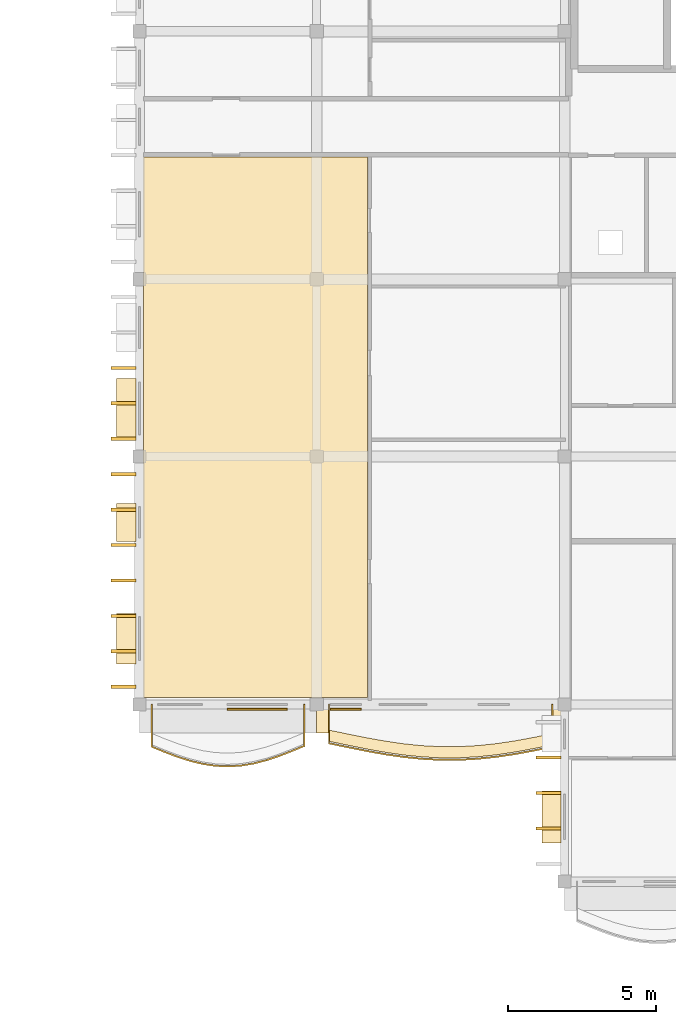
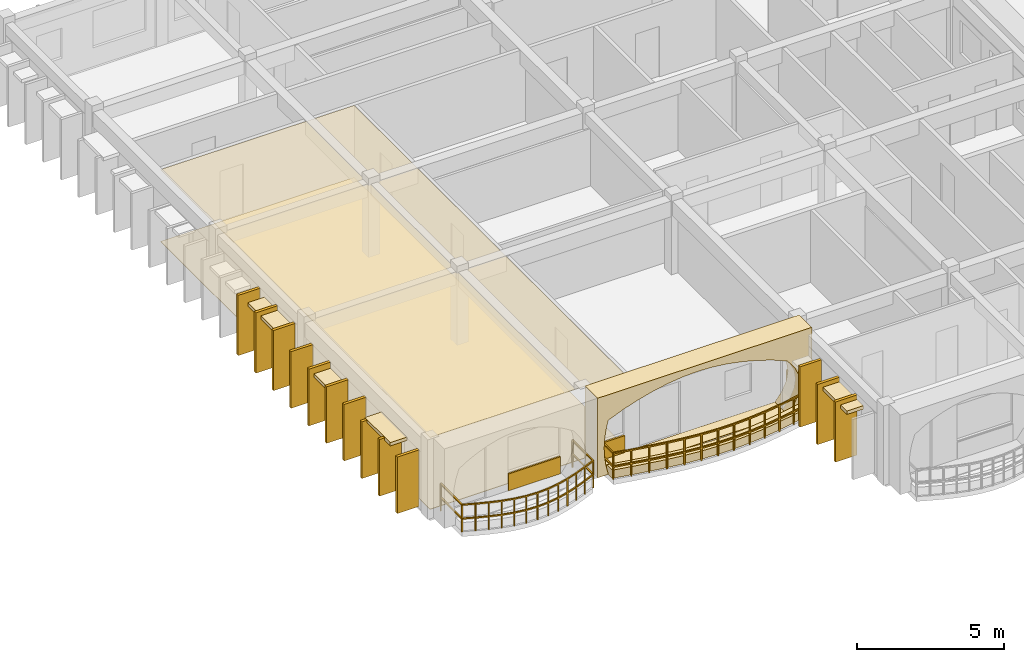
# One storey, part 58 of 66: 23 coverings, 2 railings.
"""IFC4 building model written with IfcOpenShell, lengths in metres."""

from ifc_helpers import new_model, si_unit, direction, frame, origin, origin_2d, place, context, subcontext, project, spatial, polyline, rectangle, outline, extrude, material, layer, layer_set, type_object, element, save


model = new_model("IFC4")

# Units and contexts
model_context = context("Model", 3, precision=1e-05, world=origin(), true_north=direction((0.0, 1.0)))
body_context = subcontext(model_context, "Body", "Model", "MODEL_VIEW")
ifc_project = project(units=[si_unit("LENGTHUNIT", "METRE"), si_unit("AREAUNIT", "SQUARE_METRE"), si_unit("VOLUMEUNIT", "CUBIC_METRE"), si_unit("PLANEANGLEUNIT", "RADIAN"), si_unit("MASSUNIT", "GRAM", prefix="KILO"), si_unit("THERMODYNAMICTEMPERATUREUNIT", "KELVIN")], contexts=[model_context])

# Site, building, storey
site_placement = place(None, origin())
site = spatial("IfcSite", under=ifc_project, at=site_placement, CompositionType="ELEMENT")
building_placement = place(site_placement, origin())
building = spatial("IfcBuilding", under=site, at=building_placement, Name="Thalorik Housing Commons", CompositionType="ELEMENT")
storey_placement = place(building_placement, frame((0.0, 0.0, 21.300048828125)))
storey = spatial("IfcBuildingStorey", under=building, at=storey_placement, Name="L06", CompositionType="ELEMENT", Elevation=21.300048828125)

# Coverings
ifc_material_1 = material(Name="Cobalt blue glazed ceramic facade tile panel", Category="masonry")
ifc_layer_1 = layer(ifc_material_1, 0.06005859375, Name="Cobalt blue glazed ceramic facade tile panel", Category="masonry")
ifc_layer_set_1 = layer_set([ifc_layer_1], Name="Cobalt blue glazed ceramic facade tile panel")
covering_type_1 = type_object("IfcCoveringType", Name="ARC-CLD-BLU-60", PredefinedType="CLADDING", material=ifc_layer_set_1)
covering_1_placement = place(storey_placement, frame((141.989990234375, 43.04248046875, 0.0498046875), z_axis=(0.0, 0.0, 1.0), x_axis=(1.0, 0.0, 0.0)))
element("IfcCovering", 1, at=covering_1_placement, inside=storey, type_object=covering_type_1, Name="L06 De Stijl Recessed Window Spandrel 4962", PredefinedType="CLADDING", context=body_context, shape_type="SweptSolid", body=[
    extrude(rectangle(XDim=2.0400390625, YDim=0.06005859375, at=origin_2d()), origin(), (0.0, 0.0, 1.0), 0.699951171875),
])
ifc_material_2 = material(Name="Precast concrete C40/50", Category="concrete")
ifc_layer_2 = layer(ifc_material_2, 0.85009765625, Name="Precast concrete C40/50", Category="concrete")
ifc_layer_set_2 = layer_set([ifc_layer_2], Name="Precast concrete C40/50")
covering_type_2 = type_object("IfcCoveringType", Name="ARC-CLD-CUSH-850", PredefinedType="CLADDING", material=ifc_layer_set_2)
covering_2_placement = place(storey_placement, frame((148.199951171875, 42.652587890625, 0.0), z_axis=(0.0, 0.0, 1.0), x_axis=(1.0, 0.0, 0.0)))
element("IfcCovering", 2, at=covering_2_placement, inside=storey, type_object=covering_type_2, Name="L06 White Precast Curved Cushion Bay Frame 4963", PredefinedType="CLADDING", context=body_context, shape_type="SweptSolid", body=[
    extrude(outline(polyline([(-4.199951171875, 0.0), (4.199951171875, 0.0), (4.199951171875, 3.300048828125), (-4.199951171875, 3.300048828125), (-4.199951171875, 0.0)]), holes=[polyline([(3.239990234375, 0.02490234375), (3.523193359375, 0.394287109375), (3.693359375, 0.76318359375), (3.75, 1.132568359375), (3.693359375, 1.501708984375), (3.523193359375, 1.870849609375), (3.239990234375, 2.239990234375), (2.655029296875, 2.4833984375), (2.070068359375, 2.6748046875), (1.485107421875, 2.82958984375), (0.89990234375, 2.94482421875), (0.31494140625, 3.01611328125), (-0.27001953125, 3.0400390625), (-0.85498046875, 3.01611328125), (-1.43994140625, 2.94482421875), (-2.02490234375, 2.82958984375), (-2.610107421875, 2.6748046875), (-3.195068359375, 2.4833984375), (-3.780029296875, 2.239990234375), (-3.86865234375, 1.870849609375), (-3.921875, 1.501708984375), (-3.939697265625, 1.132568359375), (-3.921875, 0.76318359375), (-3.86865234375, 0.394287109375), (-3.780029296875, 0.02490234375), (3.239990234375, 0.02490234375)])]), frame((0.0, 0.425048828125, 0.0), z_axis=(0.0, -1.0, 0.0), x_axis=(1.0, 0.0, 0.0)), (0.0, 0.0, 1.0), 0.85009765625),
])
ifc_layer_3 = layer(ifc_material_2, 0.85009765625, Name="Precast concrete C40/50", Category="concrete")
ifc_layer_set_3 = layer_set([ifc_layer_3], Name="Precast concrete C40/50")
covering_type_3 = type_object("IfcCoveringType", Name="ARC-CLD-FIN-850", PredefinedType="CLADDING", material=ifc_layer_set_3)
for number, where, z_axis, x_axis, name in (
    (3, (137.452392578125, 54.60009765625, 0.039794921875), (0.0, 0.0, 1.0), (0.0, -1.0, 0.0), "L06 Courtyard Precast Vertical Brise-Soleil Fin 4947"),
    (4, (137.452392578125, 53.39990234375, 0.039794921875), (0.0, 0.0, 1.0), (0.0, -1.0, 0.0), "L06 Courtyard Precast Vertical Brise-Soleil Fin 4948"),
    (5, (137.452392578125, 52.199951171875, 0.039794921875), (0.0, 0.0, 1.0), (0.0, -1.0, 0.0), "L06 Courtyard Precast Vertical Brise-Soleil Fin 4949"),
):
    element("IfcCovering", number, at=place(storey_placement, frame(where, z_axis=z_axis, x_axis=x_axis)), inside=storey, type_object=covering_type_3, Name=name, PredefinedType="CLADDING", context=body_context, shape_type="SweptSolid", body=[
        extrude(rectangle(XDim=0.110107421875, YDim=0.85009765625, at=origin_2d()), origin(), (0.0, 0.0, 1.0), 2.4951171875),
    ])
for number, where, z_axis, x_axis, name in (
    (6, (137.452392578125, 51.0, 0.0400390625), (0.0, 0.0, 1.0), (0.0, -1.0, 0.0), "L06 Courtyard Precast Vertical Brise-Soleil Fin 4952"),
    (7, (137.452392578125, 49.800048828125, 0.0400390625), (0.0, 0.0, 1.0), (0.0, -1.0, 0.0), "L06 Courtyard Precast Vertical Brise-Soleil Fin 4953"),
    (8, (137.452392578125, 48.60009765625, 0.0400390625), (0.0, 0.0, 1.0), (0.0, -1.0, 0.0), "L06 Courtyard Precast Vertical Brise-Soleil Fin 4954"),
    (9, (137.452392578125, 47.39990234375, 0.0400390625), (0.0, 0.0, 1.0), (0.0, -1.0, 0.0), "L06 Courtyard Precast Vertical Brise-Soleil Fin 4955"),
    (10, (137.452392578125, 46.199951171875, 0.0400390625), (0.0, 0.0, 1.0), (0.0, -1.0, 0.0), "L06 Courtyard Precast Vertical Brise-Soleil Fin 4956"),
    (11, (137.452392578125, 45.0, 0.0400390625), (0.0, 0.0, 1.0), (0.0, -1.0, 0.0), "L06 Courtyard Precast Vertical Brise-Soleil Fin 4957"),
    (12, (137.452392578125, 43.800048828125, 0.0400390625), (0.0, 0.0, 1.0), (0.0, -1.0, 0.0), "L06 Courtyard Precast Vertical Brise-Soleil Fin 4958"),
):
    element("IfcCovering", number, at=place(storey_placement, frame(where, z_axis=z_axis, x_axis=x_axis)), inside=storey, type_object=covering_type_3, Name=name, PredefinedType="CLADDING", context=body_context, shape_type="SweptSolid", body=[
        extrude(rectangle(XDim=0.110107421875, YDim=0.85009765625, at=origin_2d()), origin(), (0.0, 0.0, 1.0), 2.344970703125),
    ])
for number, where, z_axis, x_axis, name in (
    (13, (151.8525390625, 41.39990234375, 0.039794921875), (0.0, 0.0, 1.0), (0.0, -1.0, 0.0), "L06 Courtyard Precast Vertical Brise-Soleil Fin 4966"),
    (14, (151.8525390625, 40.199951171875, 0.039794921875), (0.0, 0.0, 1.0), (0.0, -1.0, 0.0), "L06 Courtyard Precast Vertical Brise-Soleil Fin 4967"),
    (15, (151.8525390625, 39.0, 0.039794921875), (0.0, 0.0, 1.0), (0.0, -1.0, 0.0), "L06 Courtyard Precast Vertical Brise-Soleil Fin 4968"),
):
    element("IfcCovering", number, at=place(storey_placement, frame(where, z_axis=z_axis, x_axis=x_axis)), inside=storey, type_object=covering_type_3, Name=name, PredefinedType="CLADDING", context=body_context, shape_type="SweptSolid", body=[
        extrude(rectangle(XDim=0.110107421875, YDim=0.85009765625, at=origin_2d()), origin(), (0.0, 0.0, 1.0), 2.4951171875),
    ])
ifc_layer_4 = layer(ifc_material_2, 0.64990234375, Name="Precast concrete C40/50", Category="concrete")
ifc_layer_set_4 = layer_set([ifc_layer_4], Name="Precast concrete C40/50")
covering_type_4 = type_object("IfcCoveringType", Name="ARC-CLD-HOOD-650", PredefinedType="CLADDING", material=ifc_layer_set_4)
covering_3_placement = place(storey_placement, frame((137.552490234375, 53.22998046875, 2.2099609375), z_axis=(0.0, 0.0, 1.0), x_axis=(0.0, -1.0, 0.0)))
element("IfcCovering", 16, at=covering_3_placement, inside=storey, type_object=covering_type_4, Name="L06 Courtyard Precast Window Sun-Hood 4951", PredefinedType="CLADDING", context=body_context, shape_type="SweptSolid", body=[
    extrude(rectangle(XDim=2.02001953125, YDim=0.64990234375, at=origin_2d()), origin(), (0.0, 0.0, 1.0), 0.139892578125),
])
covering_4_placement = place(storey_placement, frame((137.552490234375, 49.3701171875, 1.990234375), z_axis=(0.0, 0.0, 1.0), x_axis=(0.0, -1.0, 0.0)))
element("IfcCovering", 17, at=covering_4_placement, inside=storey, type_object=covering_type_4, Name="L06 Courtyard Precast Window Sun-Hood 4959", PredefinedType="CLADDING", context=body_context, shape_type="SweptSolid", body=[
    extrude(rectangle(XDim=1.2900390625, YDim=0.64990234375, at=origin_2d()), origin(), (0.0, 0.0, 1.0), 0.139892578125),
])
covering_5_placement = place(storey_placement, frame((137.552490234375, 45.429931640625, 2.27490234375), z_axis=(0.0, 0.0, 1.0), x_axis=(0.0, -1.0, 0.0)))
element("IfcCovering", 18, at=covering_5_placement, inside=storey, type_object=covering_type_4, Name="L06 Courtyard Precast Window Sun-Hood 4960", PredefinedType="CLADDING", context=body_context, shape_type="SweptSolid", body=[
    extrude(rectangle(XDim=1.719970703125, YDim=0.64990234375, at=origin_2d()), origin(), (0.0, 0.0, 1.0), 0.139892578125),
])
covering_6_placement = place(storey_placement, frame((151.952392578125, 39.392578125, 2.2099609375), z_axis=(0.0, 0.0, 1.0), x_axis=(0.0, -1.0, 0.0)))
element("IfcCovering", 19, at=covering_6_placement, inside=storey, type_object=covering_type_4, Name="L06 Courtyard Precast Window Sun-Hood 4971", PredefinedType="CLADDING", context=body_context, shape_type="SweptSolid", body=[
    extrude(rectangle(XDim=1.760009765625, YDim=0.64990234375, at=origin_2d()), origin(), (0.0, 0.0, 1.0), 0.139892578125),
])
ifc_material_3 = material(Name="Mineral ochre architectural terracotta panel", Category="masonry")
ifc_layer_5 = layer(ifc_material_3, 0.06494140625, Name="Mineral ochre architectural terracotta panel", Category="masonry")
ifc_layer_set_5 = layer_set([ifc_layer_5], Name="Mineral ochre architectural terracotta panel")
covering_type_5 = type_object("IfcCoveringType", Name="ARC-CLD-YEL-65", PredefinedType="CLADDING", material=ifc_layer_set_5)
covering_7_placement = place(storey_placement, frame((144.9951171875, 43.0400390625, 0.0498046875), z_axis=(0.0, 0.0, 1.0), x_axis=(1.0, 0.0, 0.0)))
element("IfcCovering", 20, at=covering_7_placement, inside=storey, type_object=covering_type_5, Name="L06 De Stijl Recessed Window Spandrel 4964", PredefinedType="CLADDING", context=body_context, shape_type="SweptSolid", body=[
    extrude(rectangle(XDim=1.050048828125, YDim=0.06494140625, at=origin_2d()), origin(), (0.0, 0.0, 1.0), 0.699951171875),
])
ifc_material_4 = material(Name="Slatted timber acoustic hall baffle ceiling", Category="wood")
ifc_layer_6 = layer(ifc_material_4, 0.02197265625, Name="Slatted timber acoustic hall baffle ceiling", Category="wood")
ifc_layer_set_6 = layer_set([ifc_layer_6], Name="Slatted timber acoustic hall baffle ceiling")
covering_type_6 = type_object("IfcCoveringType", Name="ARC-COV-CEIL-03", PredefinedType="CEILING", material=ifc_layer_set_6)
covering_8_placement = place(storey_placement, frame((0.0, 0.0, 2.97802734375)))
element("IfcCovering", 21, at=covering_8_placement, inside=storey, type_object=covering_type_6, Name="L06 Family Lounge Suspended Ceiling", PredefinedType="CEILING", context=body_context, shape_type="SweptSolid", body=[
    extrude(outline(polyline([(145.72998046875, 43.43994140625), (145.72998046875, 61.739990234375), (138.139892578125, 61.739990234375), (138.139892578125, 43.43994140625), (145.72998046875, 43.43994140625)])), origin(), (0.0, 0.0, 1.0), 0.02197265625),
])
ifc_material_5 = material(Name="Cushioned natural linoleum nursery playroom flooring")
ifc_layer_7 = layer(ifc_material_5, 0.02001953125, Name="Cushioned natural linoleum nursery playroom flooring")
ifc_layer_set_7 = layer_set([ifc_layer_7], Name="Cushioned natural linoleum nursery playroom flooring")
covering_type_7 = type_object("IfcCoveringType", Name="ARC-COV-FLR-03", PredefinedType="FLOORING", material=ifc_layer_set_7)
covering_9_placement = place(storey_placement, origin())
element("IfcCovering", 22, at=covering_9_placement, inside=storey, type_object=covering_type_7, Name="L06 Family Lounge Flooring", PredefinedType="FLOORING", context=body_context, shape_type="SweptSolid", body=[
    extrude(outline(polyline([(145.72998046875, 43.43994140625), (145.72998046875, 61.739990234375), (138.139892578125, 61.739990234375), (138.139892578125, 43.43994140625), (145.72998046875, 43.43994140625)])), origin(), (0.0, 0.0, 1.0), 0.02001953125),
])
ifc_material_6 = material(Name="Planted vegetated substrate and terracotta trough", Category="masonry")
ifc_layer_8 = layer(ifc_material_6, 0.340087890625, Name="Planted vegetated substrate and terracotta trough", Category="masonry")
ifc_layer_set_8 = layer_set([ifc_layer_8], Name="Planted vegetated substrate and terracotta trough")
covering_type_8 = type_object("IfcCoveringType", Name="ARC-COV-PLANTER", PredefinedType="USERDEFINED", material=ifc_layer_set_8)
covering_10_placement = place(storey_placement, origin())
element("IfcCovering", 23, at=covering_10_placement, inside=storey, type_object=covering_type_8, Name="L06 Balcony Slab-Edge Planted Trough 5688", ObjectType="PLANTER", PredefinedType="USERDEFINED", context=body_context, shape_type="SweptSolid", body=[
    extrude(outline(polyline([(144.419921875, 41.9521484375), (145.050048828125, 41.821044921875), (145.679931640625, 41.69482421875), (146.31005859375, 41.581787109375), (146.93994140625, 41.489990234375), (147.570068359375, 41.42529296875), (148.199951171875, 41.39208984375), (148.830078125, 41.392822265625), (149.4599609375, 41.427734375), (150.090087890625, 41.494384765625), (150.719970703125, 41.5888671875), (151.35009765625, 41.704345703125), (151.97998046875, 41.83349609375), (151.97998046875, 42.213623046875), (151.35009765625, 42.08447265625), (150.719970703125, 41.96875), (150.090087890625, 41.87451171875), (149.4599609375, 41.807861328125), (148.830078125, 41.77294921875), (148.199951171875, 41.772216796875), (147.570068359375, 41.80517578125), (146.93994140625, 41.8701171875), (146.31005859375, 41.9619140625), (145.679931640625, 42.07470703125), (145.050048828125, 42.201171875), (144.419921875, 42.332275390625), (144.419921875, 41.9521484375)])), origin(), (0.0, 0.0, 1.0), 0.33984375),
])

# Railings
ifc_material_7 = material(Name="Steel S355", Category="steel")
railing_type_1 = type_object("IfcRailingType", Name="ARC-RL-BAL-112", PredefinedType="BALUSTRADE", material=ifc_material_7)
railing_1_placement = place(storey_placement, frame((144.419921875, 43.199951171875, 0.0)))
element("IfcRailing", 24, at=railing_1_placement, inside=storey, type_object=railing_type_1, Name="L06 Cushion Balcony Guardrail 372", PredefinedType="BALUSTRADE", context=body_context, shape_type="SweptSolid", body=[
    extrude(rectangle(XDim=0.050048828125, YDim=0.050048828125, at=origin_2d()), frame((0.0, 0.0, 1.09521484375), z_axis=(0.0, -1.0, 0.0), x_axis=(1.0, 0.0, 0.0)), (0.0, 0.0, 1.0), 1.31787109375),
    extrude(rectangle(XDim=0.050048828125, YDim=0.050048828125, at=origin_2d()), frame((0.0, 0.0, 0.53515625), z_axis=(0.0, -1.0, 0.0), x_axis=(1.0, 0.0, 0.0)), (0.0, 0.0, 1.0), 1.31787109375),
    extrude(rectangle(XDim=0.050048828125, YDim=0.050048828125, at=origin_2d()), frame((0.0, -1.31787109375, 1.09521484375), z_axis=(0.979109619263, -0.203333109618, 0.0), x_axis=(0.203333109618, 0.979109619263, 0.0)), (0.0, 0.0, 1.0), 0.6435546875),
    extrude(rectangle(XDim=0.050048828125, YDim=0.050048828125, at=origin_2d()), frame((0.0, -1.31787109375, 0.53515625), z_axis=(0.979109619263, -0.203333109618, 0.0), x_axis=(0.203333109618, 0.979109619263, 0.0)), (0.0, 0.0, 1.0), 0.6435546875),
    extrude(rectangle(XDim=0.050048828125, YDim=0.050048828125, at=origin_2d()), frame((0.630126953125, -1.44873046875, 1.09521484375), z_axis=(0.980434244421, -0.19684687543, 0.0), x_axis=(0.19684687543, 0.980434244421, 0.0)), (0.0, 0.0, 1.0), 0.642333984375),
    extrude(rectangle(XDim=0.050048828125, YDim=0.050048828125, at=origin_2d()), frame((0.630126953125, -1.44873046875, 0.53515625), z_axis=(0.980434244421, -0.19684687543, 0.0), x_axis=(0.19684687543, 0.980434244421, 0.0)), (0.0, 0.0, 1.0), 0.642333984375),
    extrude(rectangle(XDim=0.050048828125, YDim=0.050048828125, at=origin_2d()), frame((1.260009765625, -1.5751953125, 1.09521484375), z_axis=(0.98435441919, -0.17619982242, 0.0), x_axis=(0.17619982242, 0.98435441919, 0.0)), (0.0, 0.0, 1.0), 0.64013671875),
    extrude(rectangle(XDim=0.050048828125, YDim=0.050048828125, at=origin_2d()), frame((1.260009765625, -1.5751953125, 0.53515625), z_axis=(0.98435441919, -0.17619982242, 0.0), x_axis=(0.17619982242, 0.98435441919, 0.0)), (0.0, 0.0, 1.0), 0.64013671875),
    extrude(rectangle(XDim=0.050048828125, YDim=0.050048828125, at=origin_2d()), frame((1.89013671875, -1.68798828125, 1.09521484375), z_axis=(0.989491866588, -0.144588540195, 0.0), x_axis=(0.144588540195, 0.989491866588, 0.0)), (0.0, 0.0, 1.0), 0.636474609375),
    extrude(rectangle(XDim=0.050048828125, YDim=0.050048828125, at=origin_2d()), frame((1.89013671875, -1.68798828125, 0.53515625), z_axis=(0.989491866588, -0.144588540195, 0.0), x_axis=(0.144588540195, 0.989491866588, 0.0)), (0.0, 0.0, 1.0), 0.636474609375),
    extrude(rectangle(XDim=0.050048828125, YDim=0.050048828125, at=origin_2d()), frame((2.52001953125, -1.780029296875, 1.09521484375), z_axis=(0.994770399285, -0.102136441616, 0.0), x_axis=(0.102136441616, 0.994770399285, 0.0)), (0.0, 0.0, 1.0), 0.633544921875),
    extrude(rectangle(XDim=0.050048828125, YDim=0.050048828125, at=origin_2d()), frame((2.52001953125, -1.780029296875, 0.53515625), z_axis=(0.994770399285, -0.102136441616, 0.0), x_axis=(0.102136441616, 0.994770399285, 0.0)), (0.0, 0.0, 1.0), 0.633544921875),
    extrude(rectangle(XDim=0.050048828125, YDim=0.050048828125, at=origin_2d()), frame((3.150146484375, -1.8447265625, 1.09521484375), z_axis=(0.998613549126, -0.052640094062, 0.0), x_axis=(0.052640094062, 0.998613549126, 0.0)), (0.0, 0.0, 1.0), 0.630859375),
    extrude(rectangle(XDim=0.050048828125, YDim=0.050048828125, at=origin_2d()), frame((3.150146484375, -1.8447265625, 0.53515625), z_axis=(0.998613549126, -0.052640094062, 0.0), x_axis=(0.052640094062, 0.998613549126, 0.0)), (0.0, 0.0, 1.0), 0.630859375),
    extrude(rectangle(XDim=0.050048828125, YDim=0.050048828125, at=origin_2d()), frame((3.780029296875, -1.8779296875, 1.09521484375), z_axis=(0.999998799082, 0.001549785043, 0.0), x_axis=(-0.001549785043, 0.999998799082, 0.0)), (0.0, 0.0, 1.0), 0.630126953125),
    extrude(rectangle(XDim=0.050048828125, YDim=0.050048828125, at=origin_2d()), frame((3.780029296875, -1.8779296875, 0.53515625), z_axis=(0.999998799082, 0.001549785043, 0.0), x_axis=(-0.001549785043, 0.999998799082, 0.0)), (0.0, 0.0, 1.0), 0.630126953125),
    extrude(rectangle(XDim=0.050048828125, YDim=0.050048828125, at=origin_2d()), frame((4.41015625, -1.876953125, 1.09521484375), z_axis=(0.998467489592, 0.055341415121, 0.0), x_axis=(-0.055341415121, 0.998467489592, 0.0)), (0.0, 0.0, 1.0), 0.630859375),
    extrude(rectangle(XDim=0.050048828125, YDim=0.050048828125, at=origin_2d()), frame((4.41015625, -1.876953125, 0.53515625), z_axis=(0.998467489592, 0.055341415121, 0.0), x_axis=(-0.055341415121, 0.998467489592, 0.0)), (0.0, 0.0, 1.0), 0.630859375),
    extrude(rectangle(XDim=0.050048828125, YDim=0.050048828125, at=origin_2d()), frame((5.0400390625, -1.842041015625, 1.09521484375), z_axis=(0.994452546055, 0.105186185615, 0.0), x_axis=(-0.105186185615, 0.994452546055, 0.0)), (0.0, 0.0, 1.0), 0.633544921875),
    extrude(rectangle(XDim=0.050048828125, YDim=0.050048828125, at=origin_2d()), frame((5.0400390625, -1.842041015625, 0.53515625), z_axis=(0.994452546055, 0.105186185615, 0.0), x_axis=(-0.105186185615, 0.994452546055, 0.0)), (0.0, 0.0, 1.0), 0.633544921875),
    extrude(rectangle(XDim=0.050048828125, YDim=0.050048828125, at=origin_2d()), frame((5.670166015625, -1.775390625, 1.09521484375), z_axis=(0.988992516102, 0.147965546983, 0.0), x_axis=(-0.147965546983, 0.988992516102, 0.0)), (0.0, 0.0, 1.0), 0.636962890625),
    extrude(rectangle(XDim=0.050048828125, YDim=0.050048828125, at=origin_2d()), frame((5.670166015625, -1.775390625, 0.53515625), z_axis=(0.988992516102, 0.147965546983, 0.0), x_axis=(-0.147965546983, 0.988992516102, 0.0)), (0.0, 0.0, 1.0), 0.636962890625),
    extrude(rectangle(XDim=0.050048828125, YDim=0.050048828125, at=origin_2d()), frame((6.300048828125, -1.68115234375, 1.09521484375), z_axis=(0.983551311417, 0.180628950644, 0.0), x_axis=(-0.180628950644, 0.983551311417, 0.0)), (0.0, 0.0, 1.0), 0.640625),
    extrude(rectangle(XDim=0.050048828125, YDim=0.050048828125, at=origin_2d()), frame((6.300048828125, -1.68115234375, 0.53515625), z_axis=(0.983551311417, 0.180628950644, 0.0), x_axis=(-0.180628950644, 0.983551311417, 0.0)), (0.0, 0.0, 1.0), 0.640625),
    extrude(rectangle(XDim=0.050048828125, YDim=0.050048828125, at=origin_2d()), frame((6.93017578125, -1.5654296875, 1.09521484375), z_axis=(0.979619945128, 0.200860058517, 0.0), x_axis=(-0.200860058517, 0.979619945128, 0.0)), (0.0, 0.0, 1.0), 0.64306640625),
    extrude(rectangle(XDim=0.050048828125, YDim=0.050048828125, at=origin_2d()), frame((6.93017578125, -1.5654296875, 0.53515625), z_axis=(0.979619945128, 0.200860058517, 0.0), x_axis=(-0.200860058517, 0.979619945128, 0.0)), (0.0, 0.0, 1.0), 0.64306640625),
    extrude(rectangle(XDim=0.050048828125, YDim=0.050048828125, at=origin_2d()), frame((7.56005859375, -1.436279296875, 1.09521484375), z_axis=(0.0, 1.0, 0.0), x_axis=(-1.0, 0.0, 0.0)), (0.0, 0.0, 1.0), 1.436279296875),
    extrude(rectangle(XDim=0.050048828125, YDim=0.050048828125, at=origin_2d()), frame((7.56005859375, -1.436279296875, 0.53515625), z_axis=(0.0, 1.0, 0.0), x_axis=(-1.0, 0.0, 0.0)), (0.0, 0.0, 1.0), 1.436279296875),
    extrude(rectangle(XDim=0.0419921875, YDim=0.0419921875, at=origin_2d()), origin(), (0.0, 0.0, 1.0), 1.070068359375),
    extrude(rectangle(XDim=0.0419921875, YDim=0.0419921875, at=origin_2d()), frame((0.0, -1.31787109375, 0.0)), (0.0, 0.0, 1.0), 1.070068359375),
    extrude(rectangle(XDim=0.0419921875, YDim=0.0419921875, at=origin_2d()), frame((0.630126953125, -1.44873046875, 0.0)), (0.0, 0.0, 1.0), 1.070068359375),
    extrude(rectangle(XDim=0.0419921875, YDim=0.0419921875, at=origin_2d()), frame((1.260009765625, -1.5751953125, 0.0)), (0.0, 0.0, 1.0), 1.070068359375),
    extrude(rectangle(XDim=0.0419921875, YDim=0.0419921875, at=origin_2d()), frame((1.89013671875, -1.68798828125, 0.0)), (0.0, 0.0, 1.0), 1.070068359375),
    extrude(rectangle(XDim=0.0419921875, YDim=0.0419921875, at=origin_2d()), frame((2.52001953125, -1.780029296875, 0.0)), (0.0, 0.0, 1.0), 1.070068359375),
    extrude(rectangle(XDim=0.0419921875, YDim=0.0419921875, at=origin_2d()), frame((3.150146484375, -1.8447265625, 0.0)), (0.0, 0.0, 1.0), 1.070068359375),
    extrude(rectangle(XDim=0.0419921875, YDim=0.0419921875, at=origin_2d()), frame((3.780029296875, -1.8779296875, 0.0)), (0.0, 0.0, 1.0), 1.070068359375),
    extrude(rectangle(XDim=0.0419921875, YDim=0.0419921875, at=origin_2d()), frame((4.41015625, -1.876953125, 0.0)), (0.0, 0.0, 1.0), 1.070068359375),
    extrude(rectangle(XDim=0.0419921875, YDim=0.0419921875, at=origin_2d()), frame((5.0400390625, -1.842041015625, 0.0)), (0.0, 0.0, 1.0), 1.070068359375),
    extrude(rectangle(XDim=0.0419921875, YDim=0.0419921875, at=origin_2d()), frame((5.670166015625, -1.775390625, 0.0)), (0.0, 0.0, 1.0), 1.070068359375),
    extrude(rectangle(XDim=0.0419921875, YDim=0.0419921875, at=origin_2d()), frame((6.300048828125, -1.68115234375, 0.0)), (0.0, 0.0, 1.0), 1.070068359375),
    extrude(rectangle(XDim=0.0419921875, YDim=0.0419921875, at=origin_2d()), frame((6.93017578125, -1.5654296875, 0.0)), (0.0, 0.0, 1.0), 1.070068359375),
    extrude(rectangle(XDim=0.0419921875, YDim=0.0419921875, at=origin_2d()), frame((7.56005859375, -1.436279296875, 0.0)), (0.0, 0.0, 1.0), 1.070068359375),
    extrude(rectangle(XDim=0.0419921875, YDim=0.0419921875, at=origin_2d()), frame((7.56005859375, 0.0, 0.0)), (0.0, 0.0, 1.0), 1.070068359375),
])
railing_type_2 = type_object("IfcRailingType", Name="ARC-RL-BAL-115", PredefinedType="BALUSTRADE", material=ifc_material_7)
railing_2_placement = place(storey_placement, frame((138.419921875, 43.199951171875, 0.0)))
element("IfcRailing", 25, at=railing_2_placement, inside=storey, type_object=railing_type_2, Name="L06 Cushion Balcony Guardrail 371", PredefinedType="BALUSTRADE", context=body_context, shape_type="SweptSolid", body=[
    extrude(rectangle(XDim=0.050048828125, YDim=0.050048828125, at=origin_2d()), frame((0.0, 0.0, 1.125), z_axis=(0.0, -1.0, 0.0), x_axis=(1.0, 0.0, 0.0)), (0.0, 0.0, 1.0), 1.433837890625),
    extrude(rectangle(XDim=0.050048828125, YDim=0.050048828125, at=origin_2d()), frame((0.0, 0.0, 0.5498046875), z_axis=(0.0, -1.0, 0.0), x_axis=(1.0, 0.0, 0.0)), (0.0, 0.0, 1.0), 1.433837890625),
    extrude(rectangle(XDim=0.050048828125, YDim=0.050048828125, at=origin_2d()), frame((0.0, -1.433837890625, 1.125), z_axis=(0.925697519301, -0.378264593585, 0.0), x_axis=(0.378264593585, 0.925697519301, 0.0)), (0.0, 0.0, 1.0), 0.464599609375),
    extrude(rectangle(XDim=0.050048828125, YDim=0.050048828125, at=origin_2d()), frame((0.0, -1.433837890625, 0.5498046875), z_axis=(0.925697519301, -0.378264593585, 0.0), x_axis=(0.378264593585, 0.925697519301, 0.0)), (0.0, 0.0, 1.0), 0.464599609375),
    extrude(rectangle(XDim=0.050048828125, YDim=0.050048828125, at=origin_2d()), frame((0.43017578125, -1.609619140625, 1.125), z_axis=(0.935518919321, -0.353276593611, 0.0), x_axis=(0.353276593611, 0.935518919321, 0.0)), (0.0, 0.0, 1.0), 0.45947265625),
    extrude(rectangle(XDim=0.050048828125, YDim=0.050048828125, at=origin_2d()), frame((0.43017578125, -1.609619140625, 0.5498046875), z_axis=(0.935518919321, -0.353276593611, 0.0), x_axis=(0.353276593611, 0.935518919321, 0.0)), (0.0, 0.0, 1.0), 0.45947265625),
    extrude(rectangle(XDim=0.050048828125, YDim=0.050048828125, at=origin_2d()), frame((0.860107421875, -1.77197265625, 1.125), z_axis=(0.95234876715, -0.305011189479, 0.0), x_axis=(0.305011189479, 0.95234876715, 0.0)), (0.0, 0.0, 1.0), 0.451416015625),
    extrude(rectangle(XDim=0.050048828125, YDim=0.050048828125, at=origin_2d()), frame((0.860107421875, -1.77197265625, 0.5498046875), z_axis=(0.95234876715, -0.305011189479, 0.0), x_axis=(0.305011189479, 0.95234876715, 0.0)), (0.0, 0.0, 1.0), 0.451416015625),
    extrude(rectangle(XDim=0.050048828125, YDim=0.050048828125, at=origin_2d()), frame((1.2900390625, -1.90966796875, 1.125), z_axis=(0.971585356615, -0.236689448034, 0.0), x_axis=(0.236689448034, 0.971585356615, 0.0)), (0.0, 0.0, 1.0), 0.442626953125),
    extrude(rectangle(XDim=0.050048828125, YDim=0.050048828125, at=origin_2d()), frame((1.2900390625, -1.90966796875, 0.5498046875), z_axis=(0.971585356615, -0.236689448034, 0.0), x_axis=(0.236689448034, 0.971585356615, 0.0)), (0.0, 0.0, 1.0), 0.442626953125),
    extrude(rectangle(XDim=0.050048828125, YDim=0.050048828125, at=origin_2d()), frame((1.719970703125, -2.014404296875, 1.125), z_axis=(0.988961040609, -0.148175774529, 0.0), x_axis=(0.148175774529, 0.988961040609, 0.0)), (0.0, 0.0, 1.0), 0.43505859375),
    extrude(rectangle(XDim=0.050048828125, YDim=0.050048828125, at=origin_2d()), frame((1.719970703125, -2.014404296875, 0.5498046875), z_axis=(0.988961040609, -0.148175774529, 0.0), x_axis=(0.148175774529, 0.988961040609, 0.0)), (0.0, 0.0, 1.0), 0.43505859375),
    extrude(rectangle(XDim=0.050048828125, YDim=0.050048828125, at=origin_2d()), frame((2.150146484375, -2.078857421875, 1.125), z_axis=(0.998917635712, -0.046514052316, 0.0), x_axis=(0.046514052316, 0.998917635712, 0.0)), (0.0, 0.0, 1.0), 0.430419921875),
    extrude(rectangle(XDim=0.050048828125, YDim=0.050048828125, at=origin_2d()), frame((2.150146484375, -2.078857421875, 0.5498046875), z_axis=(0.998917635712, -0.046514052316, 0.0), x_axis=(0.046514052316, 0.998917635712, 0.0)), (0.0, 0.0, 1.0), 0.430419921875),
    extrude(rectangle(XDim=0.050048828125, YDim=0.050048828125, at=origin_2d()), frame((2.580078125, -2.098876953125, 1.125), z_axis=(0.998227142694, 0.059519505953, 0.0), x_axis=(-0.059519505953, 0.998227142694, 0.0)), (0.0, 0.0, 1.0), 0.4306640625),
    extrude(rectangle(XDim=0.050048828125, YDim=0.050048828125, at=origin_2d()), frame((2.580078125, -2.098876953125, 0.5498046875), z_axis=(0.998227142694, 0.059519505953, 0.0), x_axis=(-0.059519505953, 0.998227142694, 0.0)), (0.0, 0.0, 1.0), 0.4306640625),
    extrude(rectangle(XDim=0.050048828125, YDim=0.050048828125, at=origin_2d()), frame((3.010009765625, -2.0732421875, 1.125), z_axis=(0.986903780175, 0.161310038984, 0.0), x_axis=(-0.161310038984, 0.986903780175, 0.0)), (0.0, 0.0, 1.0), 0.435791015625),
    extrude(rectangle(XDim=0.050048828125, YDim=0.050048828125, at=origin_2d()), frame((3.010009765625, -2.0732421875, 0.5498046875), z_axis=(0.986903780175, 0.161310038984, 0.0), x_axis=(-0.161310038984, 0.986903780175, 0.0)), (0.0, 0.0, 1.0), 0.435791015625),
    extrude(rectangle(XDim=0.050048828125, YDim=0.050048828125, at=origin_2d()), frame((3.440185546875, -2.0029296875, 1.125), z_axis=(0.96886718516, 0.247581052426, 0.0), x_axis=(-0.247581052426, 0.96886718516, 0.0)), (0.0, 0.0, 1.0), 0.44384765625),
    extrude(rectangle(XDim=0.050048828125, YDim=0.050048828125, at=origin_2d()), frame((3.440185546875, -2.0029296875, 0.5498046875), z_axis=(0.96886718516, 0.247581052426, 0.0), x_axis=(-0.247581052426, 0.96886718516, 0.0)), (0.0, 0.0, 1.0), 0.44384765625),
    extrude(rectangle(XDim=0.050048828125, YDim=0.050048828125, at=origin_2d()), frame((3.8701171875, -1.89306640625, 1.125), z_axis=(0.949328214695, 0.3142863993, 0.0), x_axis=(-0.3142863993, 0.949328214695, 0.0)), (0.0, 0.0, 1.0), 0.452880859375),
    extrude(rectangle(XDim=0.050048828125, YDim=0.050048828125, at=origin_2d()), frame((3.8701171875, -1.89306640625, 0.5498046875), z_axis=(0.949328214695, 0.3142863993, 0.0), x_axis=(-0.3142863993, 0.949328214695, 0.0)), (0.0, 0.0, 1.0), 0.452880859375),
    extrude(rectangle(XDim=0.050048828125, YDim=0.050048828125, at=origin_2d()), frame((4.300048828125, -1.750732421875, 1.125), z_axis=(0.932688831818, 0.360682052509, 0.0), x_axis=(-0.360682052509, 0.932688831818, 0.0)), (0.0, 0.0, 1.0), 0.4609375),
    extrude(rectangle(XDim=0.050048828125, YDim=0.050048828125, at=origin_2d()), frame((4.300048828125, -1.750732421875, 0.5498046875), z_axis=(0.932688831818, 0.360682052509, 0.0), x_axis=(-0.360682052509, 0.932688831818, 0.0)), (0.0, 0.0, 1.0), 0.4609375),
    extrude(rectangle(XDim=0.050048828125, YDim=0.050048828125, at=origin_2d()), frame((4.72998046875, -1.58447265625, 1.125), z_axis=(0.923479576516, 0.383647587974, 0.0), x_axis=(-0.383647587974, 0.923479576516, 0.0)), (0.0, 0.0, 1.0), 0.4658203125),
    extrude(rectangle(XDim=0.050048828125, YDim=0.050048828125, at=origin_2d()), frame((4.72998046875, -1.58447265625, 0.5498046875), z_axis=(0.923479576516, 0.383647587974, 0.0), x_axis=(-0.383647587974, 0.923479576516, 0.0)), (0.0, 0.0, 1.0), 0.4658203125),
    extrude(rectangle(XDim=0.050048828125, YDim=0.050048828125, at=origin_2d()), frame((5.16015625, -1.40576171875, 1.125), z_axis=(0.0, 1.0, 0.0), x_axis=(-1.0, 0.0, 0.0)), (0.0, 0.0, 1.0), 1.40576171875),
    extrude(rectangle(XDim=0.050048828125, YDim=0.050048828125, at=origin_2d()), frame((5.16015625, -1.40576171875, 0.5498046875), z_axis=(0.0, 1.0, 0.0), x_axis=(-1.0, 0.0, 0.0)), (0.0, 0.0, 1.0), 1.40576171875),
    extrude(rectangle(XDim=0.0419921875, YDim=0.0419921875, at=origin_2d()), origin(), (0.0, 0.0, 1.0), 1.099853515625),
    extrude(rectangle(XDim=0.0419921875, YDim=0.0419921875, at=origin_2d()), frame((0.0, -1.433837890625, 0.0)), (0.0, 0.0, 1.0), 1.099853515625),
    extrude(rectangle(XDim=0.0419921875, YDim=0.0419921875, at=origin_2d()), frame((0.43017578125, -1.609619140625, 0.0)), (0.0, 0.0, 1.0), 1.099853515625),
    extrude(rectangle(XDim=0.0419921875, YDim=0.0419921875, at=origin_2d()), frame((0.860107421875, -1.77197265625, 0.0)), (0.0, 0.0, 1.0), 1.099853515625),
    extrude(rectangle(XDim=0.0419921875, YDim=0.0419921875, at=origin_2d()), frame((1.2900390625, -1.90966796875, 0.0)), (0.0, 0.0, 1.0), 1.099853515625),
    extrude(rectangle(XDim=0.0419921875, YDim=0.0419921875, at=origin_2d()), frame((1.719970703125, -2.014404296875, 0.0)), (0.0, 0.0, 1.0), 1.099853515625),
    extrude(rectangle(XDim=0.0419921875, YDim=0.0419921875, at=origin_2d()), frame((2.150146484375, -2.078857421875, 0.0)), (0.0, 0.0, 1.0), 1.099853515625),
    extrude(rectangle(XDim=0.0419921875, YDim=0.0419921875, at=origin_2d()), frame((2.580078125, -2.098876953125, 0.0)), (0.0, 0.0, 1.0), 1.099853515625),
    extrude(rectangle(XDim=0.0419921875, YDim=0.0419921875, at=origin_2d()), frame((3.010009765625, -2.0732421875, 0.0)), (0.0, 0.0, 1.0), 1.099853515625),
    extrude(rectangle(XDim=0.0419921875, YDim=0.0419921875, at=origin_2d()), frame((3.440185546875, -2.0029296875, 0.0)), (0.0, 0.0, 1.0), 1.099853515625),
    extrude(rectangle(XDim=0.0419921875, YDim=0.0419921875, at=origin_2d()), frame((3.8701171875, -1.89306640625, 0.0)), (0.0, 0.0, 1.0), 1.099853515625),
    extrude(rectangle(XDim=0.0419921875, YDim=0.0419921875, at=origin_2d()), frame((4.300048828125, -1.750732421875, 0.0)), (0.0, 0.0, 1.0), 1.099853515625),
    extrude(rectangle(XDim=0.0419921875, YDim=0.0419921875, at=origin_2d()), frame((4.72998046875, -1.58447265625, 0.0)), (0.0, 0.0, 1.0), 1.099853515625),
    extrude(rectangle(XDim=0.0419921875, YDim=0.0419921875, at=origin_2d()), frame((5.16015625, -1.40576171875, 0.0)), (0.0, 0.0, 1.0), 1.099853515625),
    extrude(rectangle(XDim=0.0419921875, YDim=0.0419921875, at=origin_2d()), frame((5.16015625, 0.0, 0.0)), (0.0, 0.0, 1.0), 1.099853515625),
])

save(model, "model.ifc")
